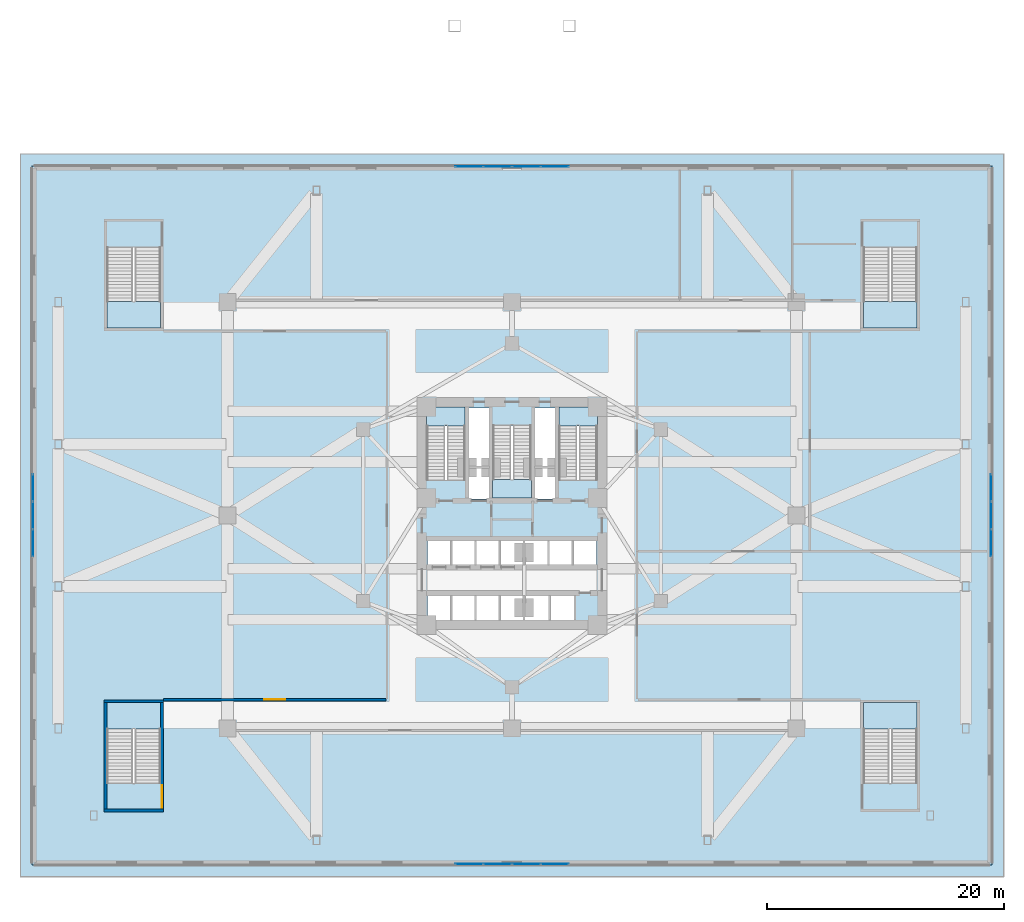
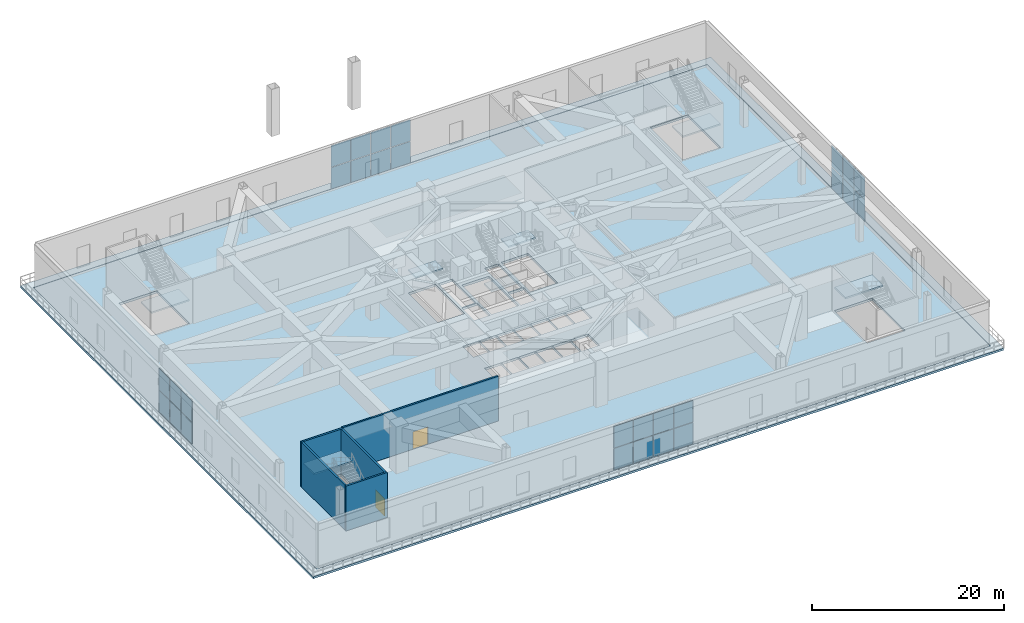
# One storey, part 10 of 25: 28 plates, 9 slabs, 5 walls, 2 doors, 2 openings, 11 elements without a shape of their own.
"""IFC4 building model written with IfcOpenShell, lengths in metres."""

from ifc_helpers import new_model, si_unit, direction, frame, frame_2d, origin, origin_2d, place, context, subcontext, project, spatial, polyline, rectangle, outline, extrude, material, layer, layer_set, type_object, element, fill, aggregate, save


model = new_model("IFC4")

# Units and contexts
model_context = context("Model", 3, precision=1e-05, world=origin(), true_north=direction((0.0, 1.0)))
body_context = subcontext(model_context, "Body", "Model", "MODEL_VIEW")
ifc_project = project(units=[si_unit("LENGTHUNIT", "METRE"), si_unit("AREAUNIT", "SQUARE_METRE"), si_unit("VOLUMEUNIT", "CUBIC_METRE"), si_unit("PLANEANGLEUNIT", "RADIAN"), si_unit("MASSUNIT", "GRAM", prefix="KILO")], contexts=[model_context])

# Site, building, storey
site_placement = place(None, origin())
site = spatial("IfcSite", under=ifc_project, at=site_placement, CompositionType="ELEMENT")
building_placement = place(site_placement, origin())
building = spatial("IfcBuilding", under=site, at=building_placement, Name="Apsidion Concourse Tower", CompositionType="ELEMENT")
storey_placement = place(building_placement, frame((0.0, 0.0, 11.5)))
storey = spatial("IfcBuildingStorey", under=building, at=storey_placement, Name="L02", CompositionType="ELEMENT", Elevation=11.5)

# Curtain wall, plates
ifc_material_1 = material(Name="Insulated laminated low-E glass", Category="glass")
ifc_layer_1 = layer(ifc_material_1, 0.199951171875)
ifc_layer_set_1 = layer_set([ifc_layer_1], Name="Insulated laminated low-E glass")
curtain_wall_type = type_object("IfcCurtainWallType", Name="CW-SYS-02", PredefinedType="NOTDEFINED", material=ifc_layer_set_1)
curtain_wall_1_placement = place(storey_placement, origin())
curtain_wall_1 = element("IfcCurtainWall", 1, at=curtain_wall_1_placement, inside=storey, type_object=curtain_wall_type, Name="L02 Podium Glazed Curtain Wall S", PredefinedType="NOTDEFINED")
ifc_layer_2 = layer(ifc_material_1, 0.031982421875)
ifc_layer_set_2 = layer_set([ifc_layer_2], Name="Insulated laminated low-E glass")
plate_type = type_object("IfcPlateType", Name="CWP-GLZ-32", PredefinedType="CURTAIN_PANEL", material=ifc_layer_set_2)
plate_1_placement = place(storey_placement, frame((3.61083984375, -29.43994140625, 0.06494140625), z_axis=(0.0, 0.0, 1.0), x_axis=(-1.0, 0.0, 0.0)))
plate_1 = element("IfcPlate", 2, at=plate_1_placement, type_object=plate_type, Name="CW-02 panel 1.1", PredefinedType="CURTAIN_PANEL", context=body_context, shape_type="SweptSolid", body=[
    extrude(rectangle(XDim=2.320556640625, YDim=0.031982421875, at=origin_2d()), origin(), (0.0, 0.0, 1.0), 2.7275390625),
])
plate_2_placement = place(storey_placement, frame((3.61083984375, -29.43994140625, 2.857421875), z_axis=(0.0, 0.0, 1.0), x_axis=(-1.0, 0.0, 0.0)))
plate_2 = element("IfcPlate", 3, at=plate_2_placement, type_object=plate_type, Name="CW-02 panel 1.2", PredefinedType="CURTAIN_PANEL", context=body_context, shape_type="SweptSolid", body=[
    extrude(rectangle(XDim=2.320556640625, YDim=0.031982421875, at=origin_2d()), origin(), (0.0, 0.0, 1.0), 2.7275390625),
])
plate_3_placement = place(storey_placement, frame((1.208984375, -29.43994140625, 0.06494140625), z_axis=(0.0, 0.0, 1.0), x_axis=(-1.0, 0.0, 0.0)))
plate_3 = element("IfcPlate", 4, at=plate_3_placement, type_object=plate_type, Name="CW-02 panel 2.1", PredefinedType="CURTAIN_PANEL", context=body_context, shape_type="SweptSolid", body=[
    extrude(rectangle(XDim=2.35302734375, YDim=0.031982421875, at=origin_2d()), origin(), (0.0, 0.0, 1.0), 2.7275390625),
])
plate_4_placement = place(storey_placement, frame((1.208984375, -29.43994140625, 2.857421875), z_axis=(0.0, 0.0, 1.0), x_axis=(-1.0, 0.0, 0.0)))
plate_4 = element("IfcPlate", 5, at=plate_4_placement, type_object=plate_type, Name="CW-02 panel 2.2", PredefinedType="CURTAIN_PANEL", context=body_context, shape_type="SweptSolid", body=[
    extrude(rectangle(XDim=2.35302734375, YDim=0.031982421875, at=origin_2d()), origin(), (0.0, 0.0, 1.0), 2.7275390625),
])
plate_5_placement = place(storey_placement, frame((-1.208984375, -29.43994140625, 0.06494140625), z_axis=(0.0, 0.0, 1.0), x_axis=(-1.0, 0.0, 0.0)))
plate_5 = element("IfcPlate", 6, at=plate_5_placement, type_object=plate_type, Name="CW-02 panel 3.1", PredefinedType="CURTAIN_PANEL", context=body_context, shape_type="SweptSolid", body=[
    extrude(rectangle(XDim=2.35302734375, YDim=0.031982421875, at=origin_2d()), origin(), (0.0, 0.0, 1.0), 2.7275390625),
])
plate_6_placement = place(storey_placement, frame((-1.208984375, -29.43994140625, 2.857421875), z_axis=(0.0, 0.0, 1.0), x_axis=(-1.0, 0.0, 0.0)))
plate_6 = element("IfcPlate", 7, at=plate_6_placement, type_object=plate_type, Name="CW-02 panel 3.2", PredefinedType="CURTAIN_PANEL", context=body_context, shape_type="SweptSolid", body=[
    extrude(rectangle(XDim=2.35302734375, YDim=0.031982421875, at=origin_2d()), origin(), (0.0, 0.0, 1.0), 2.7275390625),
])
plate_7_placement = place(storey_placement, frame((-3.61083984375, -29.43994140625, 0.06494140625), z_axis=(0.0, 0.0, 1.0), x_axis=(-1.0, 0.0, 0.0)))
plate_7 = element("IfcPlate", 8, at=plate_7_placement, type_object=plate_type, Name="CW-02 panel 4.1", PredefinedType="CURTAIN_PANEL", context=body_context, shape_type="SweptSolid", body=[
    extrude(rectangle(XDim=2.320556640625, YDim=0.031982421875, at=origin_2d()), origin(), (0.0, 0.0, 1.0), 2.7275390625),
])
plate_8_placement = place(storey_placement, frame((-3.61083984375, -29.43994140625, 2.857421875), z_axis=(0.0, 0.0, 1.0), x_axis=(-1.0, 0.0, 0.0)))
plate_8 = element("IfcPlate", 9, at=plate_8_placement, type_object=plate_type, Name="CW-02 panel 4.2", PredefinedType="CURTAIN_PANEL", context=body_context, shape_type="SweptSolid", body=[
    extrude(rectangle(XDim=2.320556640625, YDim=0.031982421875, at=origin_2d()), origin(), (0.0, 0.0, 1.0), 2.7275390625),
])
aggregate(curtain_wall_1, [plate_1, plate_2, plate_3, plate_4, plate_5, plate_6, plate_7, plate_8])

curtain_wall_2_placement = place(storey_placement, origin())
curtain_wall_2 = element("IfcCurtainWall", 10, at=curtain_wall_2_placement, inside=storey, type_object=curtain_wall_type, Name="L02 Podium Glazed Curtain Wall W", PredefinedType="NOTDEFINED")
plate_9_placement = place(storey_placement, frame((-40.43994140625, -2.32763671875, 0.06494140625), z_axis=(0.0, 0.0, 1.0), x_axis=(0.0, 1.0, 0.0)))
plate_9 = element("IfcPlate", 11, at=plate_9_placement, type_object=plate_type, Name="CW-02 panel 1.1", PredefinedType="CURTAIN_PANEL", context=body_context, shape_type="SweptSolid", body=[
    extrude(rectangle(XDim=2.24658203125, YDim=0.031982421875, at=origin_2d()), origin(), (0.0, 0.0, 1.0), 2.7275390625),
])
plate_10_placement = place(storey_placement, frame((-40.43994140625, -2.32763671875, 2.857421875), z_axis=(0.0, 0.0, 1.0), x_axis=(0.0, 1.0, 0.0)))
plate_10 = element("IfcPlate", 12, at=plate_10_placement, type_object=plate_type, Name="CW-02 panel 1.2", PredefinedType="CURTAIN_PANEL", context=body_context, shape_type="SweptSolid", body=[
    extrude(rectangle(XDim=2.24658203125, YDim=0.031982421875, at=origin_2d()), origin(), (0.0, 0.0, 1.0), 2.7275390625),
])
plate_11_placement = place(storey_placement, frame((-40.43994140625, 0.0, 0.06494140625), z_axis=(0.0, 0.0, 1.0), x_axis=(0.0, 1.0, 0.0)))
plate_11 = element("IfcPlate", 13, at=plate_11_placement, type_object=plate_type, Name="CW-02 panel 2.1", PredefinedType="CURTAIN_PANEL", context=body_context, shape_type="SweptSolid", body=[
    extrude(rectangle(XDim=2.279052734375, YDim=0.031982421875, at=origin_2d()), origin(), (0.0, 0.0, 1.0), 2.7275390625),
])
plate_12_placement = place(storey_placement, frame((-40.43994140625, 0.0, 2.857421875), z_axis=(0.0, 0.0, 1.0), x_axis=(0.0, 1.0, 0.0)))
plate_12 = element("IfcPlate", 14, at=plate_12_placement, type_object=plate_type, Name="CW-02 panel 2.2", PredefinedType="CURTAIN_PANEL", context=body_context, shape_type="SweptSolid", body=[
    extrude(rectangle(XDim=2.279052734375, YDim=0.031982421875, at=origin_2d()), origin(), (0.0, 0.0, 1.0), 2.7275390625),
])
plate_13_placement = place(storey_placement, frame((-40.43994140625, 2.32763671875, 0.06494140625), z_axis=(0.0, 0.0, 1.0), x_axis=(0.0, 1.0, 0.0)))
plate_13 = element("IfcPlate", 15, at=plate_13_placement, type_object=plate_type, Name="CW-02 panel 3.1", PredefinedType="CURTAIN_PANEL", context=body_context, shape_type="SweptSolid", body=[
    extrude(rectangle(XDim=2.24658203125, YDim=0.031982421875, at=origin_2d()), origin(), (0.0, 0.0, 1.0), 2.7275390625),
])
plate_14_placement = place(storey_placement, frame((-40.43994140625, 2.32763671875, 2.857421875), z_axis=(0.0, 0.0, 1.0), x_axis=(0.0, 1.0, 0.0)))
plate_14 = element("IfcPlate", 16, at=plate_14_placement, type_object=plate_type, Name="CW-02 panel 3.2", PredefinedType="CURTAIN_PANEL", context=body_context, shape_type="SweptSolid", body=[
    extrude(rectangle(XDim=2.24658203125, YDim=0.031982421875, at=origin_2d()), origin(), (0.0, 0.0, 1.0), 2.7275390625),
])
aggregate(curtain_wall_2, [plate_9, plate_10, plate_11, plate_12, plate_13, plate_14])

curtain_wall_3_placement = place(storey_placement, origin())
curtain_wall_3 = element("IfcCurtainWall", 17, at=curtain_wall_3_placement, inside=storey, type_object=curtain_wall_type, Name="L02 Podium Glazed Curtain Wall N", PredefinedType="NOTDEFINED")
plate_15_placement = place(storey_placement, frame((-3.61083984375, 29.43994140625, 0.06494140625), z_axis=(0.0, 0.0, 1.0), x_axis=(1.0, 0.0, 0.0)))
plate_15 = element("IfcPlate", 18, at=plate_15_placement, type_object=plate_type, Name="CW-02 panel 1.1", PredefinedType="CURTAIN_PANEL", context=body_context, shape_type="SweptSolid", body=[
    extrude(rectangle(XDim=2.320556640625, YDim=0.031982421875, at=origin_2d()), origin(), (0.0, 0.0, 1.0), 2.7275390625),
])
plate_16_placement = place(storey_placement, frame((-3.61083984375, 29.43994140625, 2.857421875), z_axis=(0.0, 0.0, 1.0), x_axis=(1.0, 0.0, 0.0)))
plate_16 = element("IfcPlate", 19, at=plate_16_placement, type_object=plate_type, Name="CW-02 panel 1.2", PredefinedType="CURTAIN_PANEL", context=body_context, shape_type="SweptSolid", body=[
    extrude(rectangle(XDim=2.320556640625, YDim=0.031982421875, at=origin_2d()), origin(), (0.0, 0.0, 1.0), 2.7275390625),
])
plate_17_placement = place(storey_placement, frame((-1.208984375, 29.43994140625, 0.06494140625), z_axis=(0.0, 0.0, 1.0), x_axis=(1.0, 0.0, 0.0)))
plate_17 = element("IfcPlate", 20, at=plate_17_placement, type_object=plate_type, Name="CW-02 panel 2.1", PredefinedType="CURTAIN_PANEL", context=body_context, shape_type="SweptSolid", body=[
    extrude(rectangle(XDim=2.35302734375, YDim=0.031982421875, at=origin_2d()), origin(), (0.0, 0.0, 1.0), 2.7275390625),
])
plate_18_placement = place(storey_placement, frame((-1.208984375, 29.43994140625, 2.857421875), z_axis=(0.0, 0.0, 1.0), x_axis=(1.0, 0.0, 0.0)))
plate_18 = element("IfcPlate", 21, at=plate_18_placement, type_object=plate_type, Name="CW-02 panel 2.2", PredefinedType="CURTAIN_PANEL", context=body_context, shape_type="SweptSolid", body=[
    extrude(rectangle(XDim=2.35302734375, YDim=0.031982421875, at=origin_2d()), origin(), (0.0, 0.0, 1.0), 2.7275390625),
])
plate_19_placement = place(storey_placement, frame((1.208984375, 29.43994140625, 0.06494140625), z_axis=(0.0, 0.0, 1.0), x_axis=(1.0, 0.0, 0.0)))
plate_19 = element("IfcPlate", 22, at=plate_19_placement, type_object=plate_type, Name="CW-02 panel 3.1", PredefinedType="CURTAIN_PANEL", context=body_context, shape_type="SweptSolid", body=[
    extrude(rectangle(XDim=2.35302734375, YDim=0.031982421875, at=origin_2d()), origin(), (0.0, 0.0, 1.0), 2.7275390625),
])
plate_20_placement = place(storey_placement, frame((1.208984375, 29.43994140625, 2.857421875), z_axis=(0.0, 0.0, 1.0), x_axis=(1.0, 0.0, 0.0)))
plate_20 = element("IfcPlate", 23, at=plate_20_placement, type_object=plate_type, Name="CW-02 panel 3.2", PredefinedType="CURTAIN_PANEL", context=body_context, shape_type="SweptSolid", body=[
    extrude(rectangle(XDim=2.35302734375, YDim=0.031982421875, at=origin_2d()), origin(), (0.0, 0.0, 1.0), 2.7275390625),
])
plate_21_placement = place(storey_placement, frame((3.61083984375, 29.43994140625, 0.06494140625), z_axis=(0.0, 0.0, 1.0), x_axis=(1.0, 0.0, 0.0)))
plate_21 = element("IfcPlate", 24, at=plate_21_placement, type_object=plate_type, Name="CW-02 panel 4.1", PredefinedType="CURTAIN_PANEL", context=body_context, shape_type="SweptSolid", body=[
    extrude(rectangle(XDim=2.320556640625, YDim=0.031982421875, at=origin_2d()), origin(), (0.0, 0.0, 1.0), 2.7275390625),
])
plate_22_placement = place(storey_placement, frame((3.61083984375, 29.43994140625, 2.857421875), z_axis=(0.0, 0.0, 1.0), x_axis=(1.0, 0.0, 0.0)))
plate_22 = element("IfcPlate", 25, at=plate_22_placement, type_object=plate_type, Name="CW-02 panel 4.2", PredefinedType="CURTAIN_PANEL", context=body_context, shape_type="SweptSolid", body=[
    extrude(rectangle(XDim=2.320556640625, YDim=0.031982421875, at=origin_2d()), origin(), (0.0, 0.0, 1.0), 2.7275390625),
])
aggregate(curtain_wall_3, [plate_15, plate_16, plate_17, plate_18, plate_19, plate_20, plate_21, plate_22])

curtain_wall_4_placement = place(storey_placement, origin())
curtain_wall_4 = element("IfcCurtainWall", 26, at=curtain_wall_4_placement, inside=storey, type_object=curtain_wall_type, Name="L02 Podium Glazed Curtain Wall E", PredefinedType="NOTDEFINED")
plate_23_placement = place(storey_placement, frame((40.43994140625, 2.32763671875, 0.06494140625), z_axis=(0.0, 0.0, 1.0), x_axis=(0.0, -1.0, 0.0)))
plate_23 = element("IfcPlate", 27, at=plate_23_placement, type_object=plate_type, Name="CW-02 panel 1.1", PredefinedType="CURTAIN_PANEL", context=body_context, shape_type="SweptSolid", body=[
    extrude(rectangle(XDim=2.24658203125, YDim=0.031982421875, at=origin_2d()), origin(), (0.0, 0.0, 1.0), 2.7275390625),
])
plate_24_placement = place(storey_placement, frame((40.43994140625, 2.32763671875, 2.857421875), z_axis=(0.0, 0.0, 1.0), x_axis=(0.0, -1.0, 0.0)))
plate_24 = element("IfcPlate", 28, at=plate_24_placement, type_object=plate_type, Name="CW-02 panel 1.2", PredefinedType="CURTAIN_PANEL", context=body_context, shape_type="SweptSolid", body=[
    extrude(rectangle(XDim=2.24658203125, YDim=0.031982421875, at=origin_2d()), origin(), (0.0, 0.0, 1.0), 2.7275390625),
])
plate_25_placement = place(storey_placement, frame((40.43994140625, 0.0, 0.06494140625), z_axis=(0.0, 0.0, 1.0), x_axis=(0.0, -1.0, 0.0)))
plate_25 = element("IfcPlate", 29, at=plate_25_placement, type_object=plate_type, Name="CW-02 panel 2.1", PredefinedType="CURTAIN_PANEL", context=body_context, shape_type="SweptSolid", body=[
    extrude(rectangle(XDim=2.279052734375, YDim=0.031982421875, at=origin_2d()), origin(), (0.0, 0.0, 1.0), 2.7275390625),
])
plate_26_placement = place(storey_placement, frame((40.43994140625, 0.0, 2.857421875), z_axis=(0.0, 0.0, 1.0), x_axis=(0.0, -1.0, 0.0)))
plate_26 = element("IfcPlate", 30, at=plate_26_placement, type_object=plate_type, Name="CW-02 panel 2.2", PredefinedType="CURTAIN_PANEL", context=body_context, shape_type="SweptSolid", body=[
    extrude(rectangle(XDim=2.279052734375, YDim=0.031982421875, at=origin_2d()), origin(), (0.0, 0.0, 1.0), 2.7275390625),
])
plate_27_placement = place(storey_placement, frame((40.43994140625, -2.32763671875, 0.06494140625), z_axis=(0.0, 0.0, 1.0), x_axis=(0.0, -1.0, 0.0)))
plate_27 = element("IfcPlate", 31, at=plate_27_placement, type_object=plate_type, Name="CW-02 panel 3.1", PredefinedType="CURTAIN_PANEL", context=body_context, shape_type="SweptSolid", body=[
    extrude(rectangle(XDim=2.24658203125, YDim=0.031982421875, at=origin_2d()), origin(), (0.0, 0.0, 1.0), 2.7275390625),
])
plate_28_placement = place(storey_placement, frame((40.43994140625, -2.32763671875, 2.857421875), z_axis=(0.0, 0.0, 1.0), x_axis=(0.0, -1.0, 0.0)))
plate_28 = element("IfcPlate", 32, at=plate_28_placement, type_object=plate_type, Name="CW-02 panel 3.2", PredefinedType="CURTAIN_PANEL", context=body_context, shape_type="SweptSolid", body=[
    extrude(rectangle(XDim=2.24658203125, YDim=0.031982421875, at=origin_2d()), origin(), (0.0, 0.0, 1.0), 2.7275390625),
])
aggregate(curtain_wall_4, [plate_23, plate_24, plate_25, plate_26, plate_27, plate_28])

# Slabs
ifc_material_2 = material(Name="Concrete C50/60", Category="concrete")
ifc_layer_3 = layer(ifc_material_2, 0.300048828125)
ifc_layer_set_3 = layer_set([ifc_layer_3], Name="Concrete C50/60")
slab_type_1 = type_object("IfcSlabType", Name="SL-FLR-300", PredefinedType="FLOOR", material=ifc_layer_set_3)
slab_1_placement = place(storey_placement, frame((0.0, 0.0, -0.300048828125)))
element("IfcSlab", 33, at=slab_1_placement, inside=storey, type_object=slab_type_1, Name="L02 Structural Floor Slab", PredefinedType="FLOOR", context=body_context, shape_type="SweptSolid", body=[
    extrude(outline(polyline([(-40.5, -29.5), (40.5, -29.5), (40.5, 29.5), (-40.5, 29.5), (-40.5, -29.5)]), holes=[polyline([(-3.949951171875, 3.0), (-3.949951171875, 9.14990234375), (-7.199951171875, 9.14990234375), (-7.199951171875, 3.0), (-3.949951171875, 3.0)]), polyline([(7.199951171875, 3.0), (7.199951171875, 9.14990234375), (3.949951171875, 9.14990234375), (3.949951171875, 3.0), (7.199951171875, 3.0)]), polyline([(-1.625, 7.60009765625), (-1.625, 1.449951171875), (1.625, 1.449951171875), (1.625, 7.60009765625), (-1.625, 7.60009765625)]), polyline([(-29.64990234375, -22.60009765625), (-29.64990234375, -15.800048828125), (-34.199951171875, -15.800048828125), (-34.199951171875, -22.60009765625), (-29.64990234375, -22.60009765625)]), polyline([(34.199951171875, -22.60009765625), (34.199951171875, -15.800048828125), (29.64990234375, -15.800048828125), (29.64990234375, -22.60009765625), (34.199951171875, -22.60009765625)]), polyline([(-34.199951171875, 22.60009765625), (-34.199951171875, 15.800048828125), (-29.64990234375, 15.800048828125), (-29.64990234375, 22.60009765625), (-34.199951171875, 22.60009765625)]), polyline([(29.64990234375, 22.60009765625), (29.64990234375, 15.800048828125), (34.199951171875, 15.800048828125), (34.199951171875, 22.60009765625), (29.64990234375, 22.60009765625)]), polyline([(-7.14501953125, -4.300048828125), (-5.155029296875, -4.300048828125), (-5.155029296875, -2.050048828125), (-7.14501953125, -2.050048828125), (-7.14501953125, -4.300048828125)]), polyline([(-5.094970703125, -4.300048828125), (-3.10498046875, -4.300048828125), (-3.10498046875, -2.050048828125), (-5.094970703125, -2.050048828125), (-5.094970703125, -4.300048828125)]), polyline([(-3.044921875, -4.300048828125), (-1.054931640625, -4.300048828125), (-1.054931640625, -2.050048828125), (-3.044921875, -2.050048828125), (-3.044921875, -4.300048828125)]), polyline([(-0.9951171875, -4.300048828125), (0.9951171875, -4.300048828125), (0.9951171875, -2.050048828125), (-0.9951171875, -2.050048828125), (-0.9951171875, -4.300048828125)]), polyline([(1.054931640625, -4.300048828125), (3.044921875, -4.300048828125), (3.044921875, -2.050048828125), (1.054931640625, -2.050048828125), (1.054931640625, -4.300048828125)]), polyline([(3.10498046875, -4.300048828125), (5.094970703125, -4.300048828125), (5.094970703125, -2.050048828125), (3.10498046875, -2.050048828125), (3.10498046875, -4.300048828125)]), polyline([(5.155029296875, -4.300048828125), (7.14501953125, -4.300048828125), (7.14501953125, -2.050048828125), (5.155029296875, -2.050048828125), (5.155029296875, -4.300048828125)]), polyline([(-7.14501953125, -8.949951171875), (-5.155029296875, -8.949951171875), (-5.155029296875, -6.64990234375), (-7.14501953125, -6.64990234375), (-7.14501953125, -8.949951171875)]), polyline([(-5.094970703125, -8.949951171875), (-3.10498046875, -8.949951171875), (-3.10498046875, -6.64990234375), (-5.094970703125, -6.64990234375), (-5.094970703125, -8.949951171875)]), polyline([(-3.044921875, -8.949951171875), (-1.054931640625, -8.949951171875), (-1.054931640625, -6.64990234375), (-3.044921875, -6.64990234375), (-3.044921875, -8.949951171875)]), polyline([(-0.9951171875, -8.949951171875), (0.9951171875, -8.949951171875), (0.9951171875, -6.64990234375), (-0.9951171875, -6.64990234375), (-0.9951171875, -8.949951171875)]), polyline([(1.044921875, -9.0), (3.155029296875, -9.0), (3.155029296875, -6.64990234375), (1.044921875, -6.64990234375), (1.044921875, -9.0)]), polyline([(3.195068359375, -9.0), (5.304931640625, -9.0), (5.304931640625, -6.64990234375), (3.195068359375, -6.64990234375), (3.195068359375, -9.0)]), polyline([(-3.7099609375, 1.39990234375), (-1.85009765625, 1.39990234375), (-1.85009765625, 4.0), (-3.7099609375, 4.0), (-3.7099609375, 1.39990234375)]), polyline([(1.85009765625, 1.39990234375), (3.7099609375, 1.39990234375), (3.7099609375, 4.0), (1.85009765625, 4.0), (1.85009765625, 1.39990234375)]), polyline([(-3.6201171875, 4.14990234375), (-1.93994140625, 4.14990234375), (-1.93994140625, 9.050048828125), (-3.6201171875, 9.050048828125), (-3.6201171875, 4.14990234375)]), polyline([(1.93994140625, 4.14990234375), (3.6201171875, 4.14990234375), (3.6201171875, 9.050048828125), (1.93994140625, 9.050048828125), (1.93994140625, 4.14990234375)])]), origin(), (0.0, 0.0, 1.0), 0.300048828125),
])
ifc_layer_4 = layer(ifc_material_2, 0.260009765625)
ifc_layer_set_4 = layer_set([ifc_layer_4], Name="Concrete C50/60")
slab_type_2 = type_object("IfcSlabType", Name="SL-POD-ROOF-260", PredefinedType="ROOF", material=ifc_layer_set_4)
slab_2_placement = place(storey_placement, frame((0.0, 0.0, -0.260009765625)))
element("IfcSlab", 34, at=slab_2_placement, inside=storey, type_object=slab_type_2, Name="L02 Podium Setback Terrace Roof Slab 1", PredefinedType="ROOF", context=body_context, shape_type="SweptSolid", body=[
    extrude(outline(polyline([(-41.5, 30.5), (41.5, 30.5), (41.5, -30.5), (-41.5, -30.5), (-41.5, 30.5)]), holes=[polyline([(-40.52001953125, -29.501953125), (-40.51953125, -29.50390625), (-40.51904296875, -29.505859375), (-40.5185546875, -29.5078125), (-40.517578125, -29.509521484375), (-40.5166015625, -29.510986328125), (-40.515380859375, -29.5126953125), (-40.51416015625, -29.51416015625), (-40.5126953125, -29.515380859375), (-40.510986328125, -29.5166015625), (-40.509521484375, -29.517578125), (-40.5078125, -29.5185546875), (-40.505859375, -29.51904296875), (-40.50390625, -29.51953125), (-40.501953125, -29.52001953125), (-40.5, -29.52001953125), (40.5, -29.52001953125), (40.501953125, -29.52001953125), (40.50390625, -29.51953125), (40.505859375, -29.51904296875), (40.5078125, -29.5185546875), (40.509521484375, -29.517578125), (40.510986328125, -29.5166015625), (40.5126953125, -29.515380859375), (40.51416015625, -29.51416015625), (40.515380859375, -29.5126953125), (40.5166015625, -29.510986328125), (40.517578125, -29.509521484375), (40.5185546875, -29.5078125), (40.51904296875, -29.505859375), (40.51953125, -29.50390625), (40.52001953125, -29.501953125), (40.52001953125, -29.5), (40.52001953125, 29.5), (40.52001953125, 29.501953125), (40.51953125, 29.50390625), (40.51904296875, 29.505859375), (40.5185546875, 29.5078125), (40.517578125, 29.509521484375), (40.5166015625, 29.510986328125), (40.515380859375, 29.5126953125), (40.51416015625, 29.51416015625), (40.5126953125, 29.515380859375), (40.510986328125, 29.5166015625), (40.509521484375, 29.517578125), (40.5078125, 29.5185546875), (40.505859375, 29.51904296875), (40.50390625, 29.51953125), (40.501953125, 29.52001953125), (40.5, 29.52001953125), (-40.5, 29.52001953125), (-40.501953125, 29.52001953125), (-40.50390625, 29.51953125), (-40.505859375, 29.51904296875), (-40.5078125, 29.5185546875), (-40.509521484375, 29.517578125), (-40.510986328125, 29.5166015625), (-40.5126953125, 29.515380859375), (-40.51416015625, 29.51416015625), (-40.515380859375, 29.5126953125), (-40.5166015625, 29.510986328125), (-40.517578125, 29.509521484375), (-40.5185546875, 29.5078125), (-40.51904296875, 29.505859375), (-40.51953125, 29.50390625), (-40.52001953125, 29.501953125), (-40.52001953125, 29.5), (-40.52001953125, -29.5), (-40.52001953125, -29.501953125)])]), origin(), (0.0, 0.0, 1.0), 0.260009765625),
])

# Stair, slab
ifc_material_3 = material(Name="Precast concrete C40/50", Category="concrete")
stair_type_1 = type_object("IfcStairType", Name="ST-DL-1550", PredefinedType="HALF_TURN_STAIR", material=ifc_material_3)
stair_1_placement = place(storey_placement, origin())
stair_1 = element("IfcStair", 35, at=stair_1_placement, inside=storey, type_object=stair_type_1, Name="L02 Protected Core Exit Stair ST1", PredefinedType="HALF_TURN_STAIR")
ifc_layer_5 = layer(ifc_material_2, 0.199951171875)
ifc_layer_set_5 = layer_set([ifc_layer_5], Name="Concrete C50/60")
slab_type_3 = type_object("IfcSlabType", Name="SL-ST-LAND-200", PredefinedType="LANDING", material=ifc_layer_set_5)
slab_3_placement = place(storey_placement, frame((0.0, 0.0, 2.800048828125)))
slab_3 = element("IfcSlab", 36, at=slab_3_placement, type_object=slab_type_3, Name="ST1 landing 1", PredefinedType="LANDING", context=body_context, shape_type="SweptSolid", body=[
    extrude(outline(polyline([(-3.949951171875, 7.56005859375), (-3.949951171875, 9.14990234375), (-7.199951171875, 9.14990234375), (-7.199951171875, 7.56005859375), (-3.949951171875, 7.56005859375)])), origin(), (0.0, 0.0, 1.0), 0.199951171875),
])
aggregate(stair_1, [slab_3])

stair_2_placement = place(storey_placement, origin())
stair_2 = element("IfcStair", 37, at=stair_2_placement, inside=storey, type_object=stair_type_1, Name="L02 Protected Core Exit Stair ST2", PredefinedType="HALF_TURN_STAIR")
slab_4_placement = place(storey_placement, frame((0.0, 0.0, 2.800048828125)))
slab_4 = element("IfcSlab", 38, at=slab_4_placement, type_object=slab_type_3, Name="ST2 landing 1", PredefinedType="LANDING", context=body_context, shape_type="SweptSolid", body=[
    extrude(outline(polyline([(7.199951171875, 7.56005859375), (7.199951171875, 9.14990234375), (3.949951171875, 9.14990234375), (3.949951171875, 7.56005859375), (7.199951171875, 7.56005859375)])), origin(), (0.0, 0.0, 1.0), 0.199951171875),
])
aggregate(stair_2, [slab_4])

stair_3_placement = place(storey_placement, origin())
stair_3 = element("IfcStair", 39, at=stair_3_placement, inside=storey, type_object=stair_type_1, Name="L02 Protected Core Exit Stair ST3", PredefinedType="HALF_TURN_STAIR")
slab_5_placement = place(storey_placement, frame((0.0, 0.0, 2.800048828125)))
slab_5 = element("IfcSlab", 40, at=slab_5_placement, type_object=slab_type_3, Name="ST3 landing 1", PredefinedType="LANDING", context=body_context, shape_type="SweptSolid", body=[
    extrude(outline(polyline([(-1.625, 3.0400390625), (-1.625, 1.449951171875), (1.625, 1.449951171875), (1.625, 3.0400390625), (-1.625, 3.0400390625)])), origin(), (0.0, 0.0, 1.0), 0.199951171875),
])
aggregate(stair_3, [slab_5])

stair_type_2 = type_object("IfcStairType", Name="ST-DL-2200", PredefinedType="HALF_TURN_STAIR", material=ifc_material_3)
stair_4_placement = place(storey_placement, origin())
stair_4 = element("IfcStair", 41, at=stair_4_placement, inside=storey, type_object=stair_type_2, Name="L02 Podium Convention Exit Stair ST-P1", PredefinedType="HALF_TURN_STAIR")
slab_6_placement = place(storey_placement, frame((0.0, 0.0, 2.800048828125)))
slab_6 = element("IfcSlab", 42, at=slab_6_placement, type_object=slab_type_3, Name="ST-P1 landing 1", PredefinedType="LANDING", context=body_context, shape_type="SweptSolid", body=[
    extrude(outline(polyline([(-29.64990234375, -18.0400390625), (-29.64990234375, -15.800048828125), (-34.199951171875, -15.800048828125), (-34.199951171875, -18.0400390625), (-29.64990234375, -18.0400390625)])), origin(), (0.0, 0.0, 1.0), 0.199951171875),
])
aggregate(stair_4, [slab_6])

stair_5_placement = place(storey_placement, origin())
stair_5 = element("IfcStair", 43, at=stair_5_placement, inside=storey, type_object=stair_type_2, Name="L02 Podium Convention Exit Stair ST-P2", PredefinedType="HALF_TURN_STAIR")
slab_7_placement = place(storey_placement, frame((0.0, 0.0, 2.800048828125)))
slab_7 = element("IfcSlab", 44, at=slab_7_placement, type_object=slab_type_3, Name="ST-P2 landing 1", PredefinedType="LANDING", context=body_context, shape_type="SweptSolid", body=[
    extrude(outline(polyline([(34.199951171875, -18.0400390625), (34.199951171875, -15.800048828125), (29.64990234375, -15.800048828125), (29.64990234375, -18.0400390625), (34.199951171875, -18.0400390625)])), origin(), (0.0, 0.0, 1.0), 0.199951171875),
])
aggregate(stair_5, [slab_7])

stair_6_placement = place(storey_placement, origin())
stair_6 = element("IfcStair", 45, at=stair_6_placement, inside=storey, type_object=stair_type_2, Name="L02 Podium Convention Exit Stair ST-P3", PredefinedType="HALF_TURN_STAIR")
slab_8_placement = place(storey_placement, frame((0.0, 0.0, 2.800048828125)))
slab_8 = element("IfcSlab", 46, at=slab_8_placement, type_object=slab_type_3, Name="ST-P3 landing 1", PredefinedType="LANDING", context=body_context, shape_type="SweptSolid", body=[
    extrude(outline(polyline([(-34.199951171875, 18.0400390625), (-34.199951171875, 15.800048828125), (-29.64990234375, 15.800048828125), (-29.64990234375, 18.0400390625), (-34.199951171875, 18.0400390625)])), origin(), (0.0, 0.0, 1.0), 0.199951171875),
])
aggregate(stair_6, [slab_8])

stair_7_placement = place(storey_placement, origin())
stair_7 = element("IfcStair", 47, at=stair_7_placement, inside=storey, type_object=stair_type_2, Name="L02 Podium Convention Exit Stair ST-P4", PredefinedType="HALF_TURN_STAIR")
slab_9_placement = place(storey_placement, frame((0.0, 0.0, 2.800048828125)))
slab_9 = element("IfcSlab", 48, at=slab_9_placement, type_object=slab_type_3, Name="ST-P4 landing 1", PredefinedType="LANDING", context=body_context, shape_type="SweptSolid", body=[
    extrude(outline(polyline([(29.64990234375, 18.0400390625), (29.64990234375, 15.800048828125), (34.199951171875, 15.800048828125), (34.199951171875, 18.0400390625), (29.64990234375, 18.0400390625)])), origin(), (0.0, 0.0, 1.0), 0.199951171875),
])
aggregate(stair_7, [slab_9])

# Wall, opening, door
ifc_material_4 = material(Name="Gypsum plasterboard partition")
ifc_layer_6 = layer(ifc_material_4, 0.199951171875)
ifc_layer_set_6 = layer_set([ifc_layer_6], Name="Gypsum plasterboard partition")
wall_type_1 = type_object("IfcWallType", Name="WL-INT-PAR-200", PredefinedType="PARTITIONING", material=ifc_layer_set_6)
wall_1_placement = place(storey_placement, frame((-29.39990234375, -15.550048828125, 0.0), z_axis=(0.0, 0.0, 1.0), x_axis=(1.0, 0.0, 0.0)))
wall_1 = element("IfcWall", 49, at=wall_1_placement, inside=storey, type_object=wall_type_1, Name="L02 Interior Partition WL-L02-S1", PredefinedType="PARTITIONING", context=body_context, shape_type="SweptSolid", body=[
    extrude(rectangle(XDim=18.75, YDim=0.199951171875, at=frame_2d((9.375, 0.0))), origin(), (0.0, 0.0, 1.0), 5.699951171875),
])
opening_1_placement = place(wall_1_placement, frame((8.47509765625, 0.0, 0.0)))
opening_1 = element("IfcOpeningElement", 50, at=opening_1_placement, cuts=wall_1, Name="Opening D-06D", PredefinedType="OPENING", context=body_context, shape_type="SweptSolid", body=[
    extrude(rectangle(XDim=1.800048828125, YDim=2.199951171875, at=frame_2d((0.89990234375, 1.10009765625))), frame((0.0, 0.10986328125, 0.0), z_axis=(0.0, -1.0, 0.0), x_axis=(1.0, 0.0, 0.0)), (0.0, 0.0, 1.0), 0.219970703125),
])
ifc_material_5 = material(Name="Brushed stainless steel 316", Category="steel")
door_type_1 = type_object("IfcDoorType", Name="DR-INT-D06D", OperationType="DOUBLE_DOOR_SINGLE_SWING", PredefinedType="DOOR", material=ifc_material_5)
door_1_placement = place(opening_1_placement, origin())
door_1 = element("IfcDoor", 51, at=door_1_placement, inside=storey, type_object=door_type_1, Name="L02 Convention Door WL-L02-S1", OperationType="DOUBLE_DOOR_SINGLE_SWING", OverallHeight=2.199951171875, OverallWidth=1.800048828125, PredefinedType="DOOR", context=body_context, shape_type="SweptSolid", body=[
    extrude(rectangle(XDim=1.800048828125, YDim=2.199951171875, at=frame_2d((0.89990234375, 1.10009765625))), frame((0.0, 0.02490234375, 0.0), z_axis=(0.0, -1.0, 0.0), x_axis=(1.0, 0.0, 0.0)), (0.0, 0.0, 1.0), 0.050048828125),
])
fill(opening_1, door_1)

# Walls
ifc_layer_7 = layer(ifc_material_2, 0.219970703125)
ifc_layer_set_7 = layer_set([ifc_layer_7], Name="Concrete C50/60")
wall_type_2 = type_object("IfcWallType", Name="WL-SH-220", PredefinedType="SHEAR", material=ifc_layer_set_7)
for number, where, z_axis, x_axis, name in (
    (52, (-34.419921875, -24.909912109375, 0.0), (0.0, 0.0, 1.0), (1.0, 0.0, 0.0), "L02 Podium Stair ST-P1 Core Shear Wall S"),
    (53, (-34.419921875, -15.68994140625, 0.0), (0.0, 0.0, 1.0), (1.0, 0.0, 0.0), "L02 Podium Stair ST-P1 Core Shear Wall N"),
):
    element("IfcWall", number, at=place(storey_placement, frame(where, z_axis=z_axis, x_axis=x_axis)), inside=storey, type_object=wall_type_2, Name=name, PredefinedType="SHEAR", context=body_context, shape_type="SweptSolid", body=[
        extrude(rectangle(XDim=4.989990234375, YDim=0.219970703125, at=frame_2d((2.4951171875, 0.0))), origin(), (0.0, 0.0, 1.0), 5.699951171875),
    ])
wall_2_placement = place(storey_placement, frame((-34.31005859375, -24.800048828125, 0.0), z_axis=(0.0, 0.0, 1.0), x_axis=(0.0, 1.0, 0.0)))
element("IfcWall", 54, at=wall_2_placement, inside=storey, type_object=wall_type_2, Name="L02 Podium Stair ST-P1 Core Shear Wall W", PredefinedType="SHEAR", context=body_context, shape_type="SweptSolid", body=[
    extrude(rectangle(XDim=9.0, YDim=0.219970703125, at=frame_2d((4.5, 0.0))), origin(), (0.0, 0.0, 1.0), 5.699951171875),
])

# Wall, opening, door
wall_3_placement = place(storey_placement, frame((-29.5400390625, -24.800048828125, 0.0), z_axis=(0.0, 0.0, 1.0), x_axis=(0.0, 1.0, 0.0)))
wall_3 = element("IfcWall", 55, at=wall_3_placement, inside=storey, type_object=wall_type_2, Name="L02 Podium Stair ST-P1 Core Shear Wall E", PredefinedType="SHEAR", context=body_context, shape_type="SweptSolid", body=[
    extrude(rectangle(XDim=9.0, YDim=0.219970703125, at=frame_2d((4.5, 0.0))), origin(), (0.0, 0.0, 1.0), 5.699951171875),
])
opening_2_placement = place(wall_3_placement, frame((0.139892578125, 0.0, 0.0)))
opening_2 = element("IfcOpeningElement", 56, at=opening_2_placement, cuts=wall_3, Name="Opening D-07D", PredefinedType="OPENING", context=body_context, shape_type="SweptSolid", body=[
    extrude(rectangle(XDim=1.89990234375, YDim=2.199951171875, at=frame_2d((0.949951171875, 1.10009765625))), frame((0.0, 0.1201171875, 0.0), z_axis=(0.0, -1.0, 0.0), x_axis=(1.0, 0.0, 0.0)), (0.0, 0.0, 1.0), 0.239990234375),
])
door_type_2 = type_object("IfcDoorType", Name="DR-INT-D07D", OperationType="DOUBLE_DOOR_SINGLE_SWING", PredefinedType="DOOR", material=ifc_material_5)
door_2_placement = place(opening_2_placement, origin())
door_2 = element("IfcDoor", 57, at=door_2_placement, inside=storey, type_object=door_type_2, Name="L02 Podium Exit Stair ST-P1 Entry Door", OperationType="DOUBLE_DOOR_SINGLE_SWING", OverallHeight=2.199951171875, OverallWidth=1.89990234375, PredefinedType="DOOR", context=body_context, shape_type="SweptSolid", body=[
    extrude(rectangle(XDim=1.89990234375, YDim=2.199951171875, at=frame_2d((0.949951171875, 1.10009765625))), frame((0.0, 0.02490234375, 0.0), z_axis=(0.0, -1.0, 0.0), x_axis=(1.0, 0.0, 0.0)), (0.0, 0.0, 1.0), 0.050048828125),
])
fill(opening_2, door_2)

save(model, "model.ifc")
